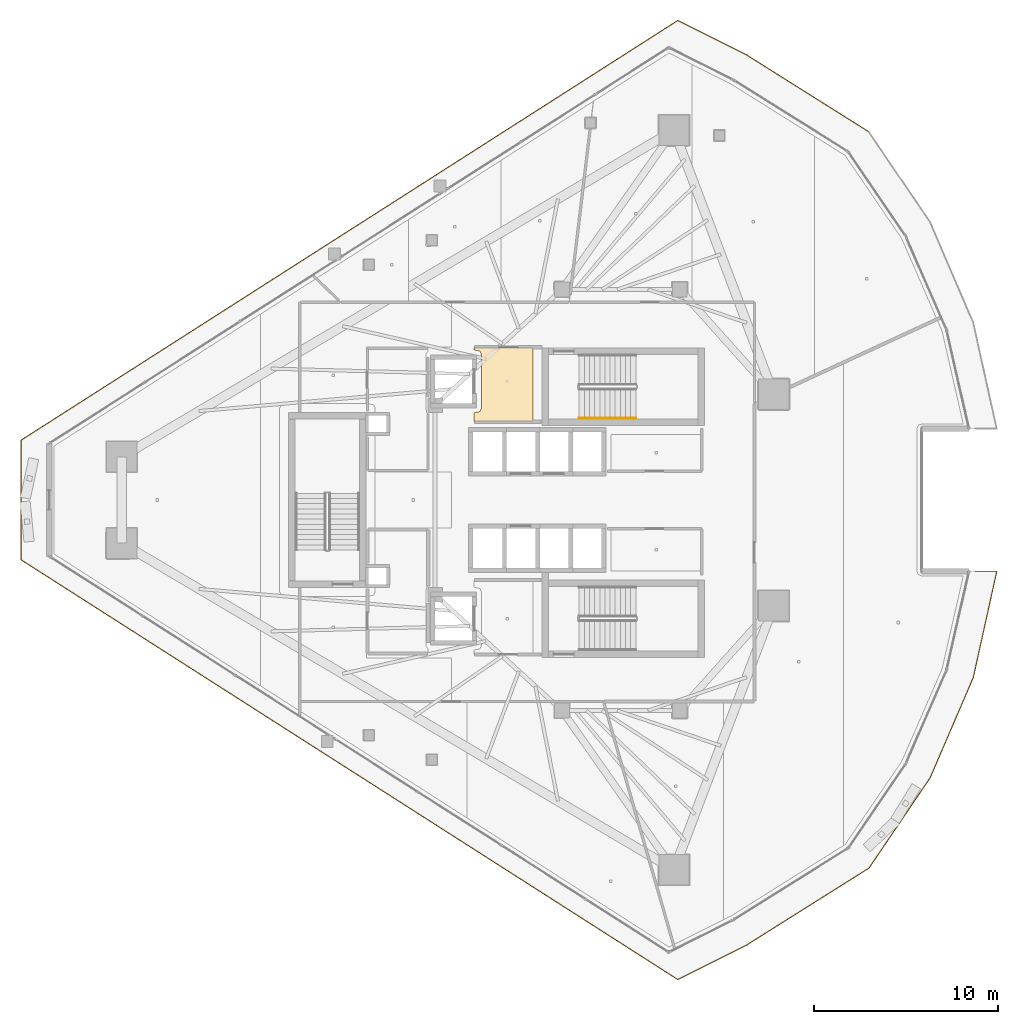
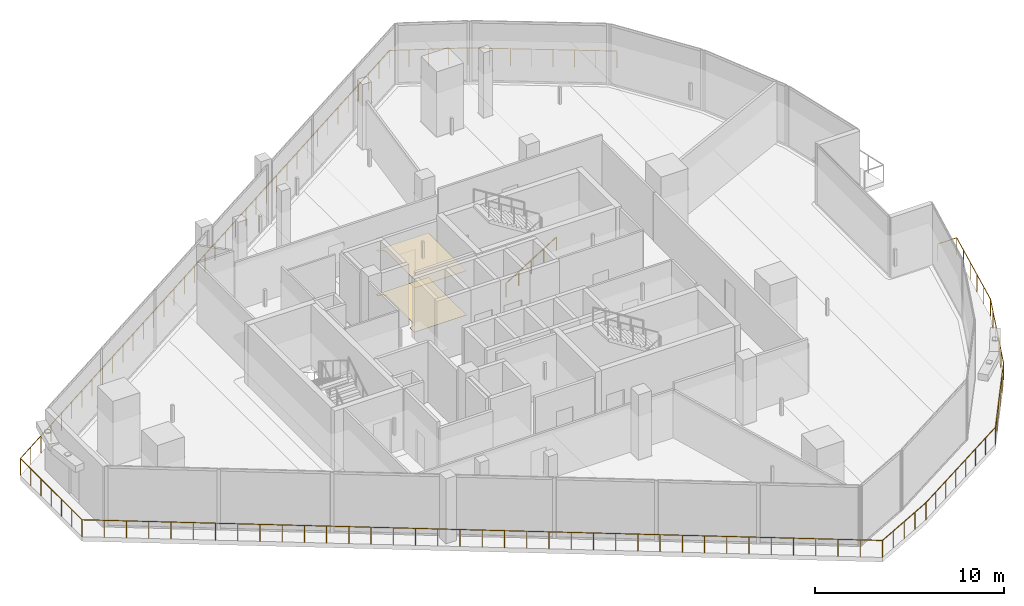
# One storey, part 28 of 31: 2 coverings, 2 railings.
"""IFC4 building model written with IfcOpenShell, lengths in metres."""

from ifc_helpers import new_model, si_unit, direction, frame, origin, origin_2d, place, context, subcontext, project, spatial, polyline, circle, outline, extrude, material, layer, layer_set, type_object, element, save


model = new_model("IFC4")

# Units and contexts
model_context = context("Model", 3, precision=1e-05, world=origin(), true_north=direction((0.0, 1.0)))
body_context = subcontext(model_context, "Body", "Model", "MODEL_VIEW")
ifc_project = project(units=[si_unit("LENGTHUNIT", "METRE"), si_unit("AREAUNIT", "SQUARE_METRE"), si_unit("VOLUMEUNIT", "CUBIC_METRE"), si_unit("PLANEANGLEUNIT", "RADIAN"), si_unit("MASSUNIT", "GRAM", prefix="KILO")], contexts=[model_context])

# Site, building, storey
site_placement = place(None, origin())
site = spatial("IfcSite", under=ifc_project, at=site_placement, CompositionType="ELEMENT")
building_placement = place(site_placement, origin())
building = spatial("IfcBuilding", under=site, at=building_placement, Name="Qorvath Tower", CompositionType="ELEMENT")
storey_placement = place(building_placement, frame((0.0, 0.0, 259.800048828125)))
storey = spatial("IfcBuildingStorey", under=building, at=storey_placement, Name="L60", CompositionType="ELEMENT", Elevation=259.800048828125)

# Coverings
ifc_material_1 = material(Name="Acoustic mineral fibre ceiling tile", Category="gypsum")
ifc_layer_1 = layer(ifc_material_1, 0.030029296875)
ifc_layer_set_1 = layer_set([ifc_layer_1], Name="COV-CEIL")
covering_type_1 = type_object("IfcCoveringType", Name="COV-CEIL", PredefinedType="CEILING", material=ifc_layer_set_1)
covering_1_placement = place(storey_placement, frame((0.0, 0.0, 2.849853515625)))
element("IfcCovering", 1, at=covering_1_placement, inside=storey, type_object=covering_type_1, Name="L60 Suspended Acoustic Ceiling 001", PredefinedType="CEILING", context=body_context, shape_type="SweptSolid", body=[
    extrude(outline(polyline([(-25.18994140625, 4.2548828125), (-25.18994140625, 8.294921875), (-28.375, 8.294921875), (-28.375, 8.159912109375), (-28.063232421875, 8.086669921875), (-27.989990234375, 7.909912109375), (-27.989990234375, 4.989990234375), (-28.063232421875, 4.813232421875), (-28.375, 4.739990234375), (-28.375, 4.2548828125), (-25.18994140625, 4.2548828125)])), origin(), (0.0, 0.0, 1.0), 0.030029296875),
])
ifc_material_2 = material(Name="Polished epoxy terrazzo flooring", Category="concrete")
ifc_layer_2 = layer(ifc_material_2, 0.02001953125)
ifc_layer_set_2 = layer_set([ifc_layer_2], Name="COV-FLOOR-TRZ")
covering_type_2 = type_object("IfcCoveringType", Name="COV-FLOOR-TRZ", PredefinedType="FLOORING", material=ifc_layer_set_2)
covering_2_placement = place(storey_placement, origin())
element("IfcCovering", 2, at=covering_2_placement, inside=storey, type_object=covering_type_2, Name="L60 Floor Finish 001", PredefinedType="FLOORING", context=body_context, shape_type="SweptSolid", body=[
    extrude(outline(polyline([(-25.18994140625, 4.2548828125), (-25.18994140625, 8.294921875), (-28.375, 8.294921875), (-28.375, 8.159912109375), (-28.063232421875, 8.086669921875), (-27.989990234375, 7.909912109375), (-27.989990234375, 4.989990234375), (-28.063232421875, 4.813232421875), (-28.375, 4.739990234375), (-28.375, 4.2548828125), (-25.18994140625, 4.2548828125)])), origin(), (0.0, 0.0, 1.0), 0.014892578125),
])

# Railings
ifc_material_3 = material(Name="Laminated safety glass and stainless steel AISI 316", Category="steel")
railing_type_1 = type_object("IfcRailingType", Name="RL-EXT-GRD", PredefinedType="GUARDRAIL", material=ifc_material_3)
railing_1_placement = place(storey_placement, frame((-1.116943359375, -3.871826171875, 0.0)))
element("IfcRailing", 3, at=railing_1_placement, inside=storey, type_object=railing_type_1, Name="Loggia Perimeter Guardrail L60-1.2", PredefinedType="GUARDRAIL", context=body_context, shape_type="SweptSolid", body=[
    extrude(circle(Radius=0.02392578125, at=origin_2d()), frame((0.0, 0.0, 1.09619140625), z_axis=(1.0, 0.0, 0.0), x_axis=(0.0, 1.0, 0.0)), (0.0, 0.0, 1.0), 1.158935546875),
    extrude(circle(Radius=0.02392578125, at=origin_2d()), frame((1.158935546875, 0.0, 1.09619140625), z_axis=(-0.216101975882, -0.976370798426, 0.0), x_axis=(0.976370798426, -0.216101975882, 0.0)), (0.0, 0.0, 1.0), 5.928955078125),
    extrude(circle(Radius=0.02392578125, at=origin_2d()), frame((-0.122314453125, -5.788818359375, 1.09619140625), z_axis=(-0.395474271898, -0.91847705484, 0.0), x_axis=(0.91847705484, -0.395474271898, 0.0)), (0.0, 0.0, 1.0), 5.928955078125),
    extrude(circle(Radius=0.02392578125, at=origin_2d()), frame((-2.467041015625, -11.234375, 1.09619140625), z_axis=(-0.560823562392, -0.827935342805, 0.0), x_axis=(0.827935342805, -0.560823562392, 0.0)), (0.0, 0.0, 1.0), 5.92919921875),
    extrude(circle(Radius=0.02392578125, at=origin_2d()), frame((-5.792236328125, -16.143310546875, 1.09619140625), z_axis=(-0.846500592816, -0.532387778186, 0.0), x_axis=(0.532387778186, -0.846500592816, 0.0)), (0.0, 0.0, 1.0), 7.88427734375),
    extrude(circle(Radius=0.02392578125, at=origin_2d()), frame((-12.46630859375, -20.3408203125, 1.09619140625), z_axis=(-0.894427191, -0.4472135955, 0.0), x_axis=(0.4472135955, -0.894427191, 0.0)), (0.0, 0.0, 1.0), 4.164794921875),
    extrude(circle(Radius=0.02392578125, at=origin_2d()), frame((-16.19140625, -22.203369140625, 1.09619140625), z_axis=(-0.842603941371, 0.538533748233, 0.0), x_axis=(-0.538533748233, -0.842603941371, 0.0)), (0.0, 0.0, 1.0), 42.3662109375),
    extrude(circle(Radius=0.02392578125, at=origin_2d()), frame((-51.889404296875, 0.6123046875, 1.09619140625), z_axis=(0.0, 1.0, 0.0), x_axis=(-1.0, 0.0, 0.0)), (0.0, 0.0, 1.0), 6.51904296875),
    extrude(circle(Radius=0.02392578125, at=origin_2d()), frame((-51.889404296875, 7.13134765625, 1.09619140625), z_axis=(0.842603941371, 0.538533748233, 0.0), x_axis=(-0.538533748233, 0.842603941371, 0.0)), (0.0, 0.0, 1.0), 42.3662109375),
    extrude(circle(Radius=0.02392578125, at=origin_2d()), frame((-16.19140625, 29.947021484375, 1.09619140625), z_axis=(0.894427191, -0.4472135955, 0.0), x_axis=(0.4472135955, 0.894427191, 0.0)), (0.0, 0.0, 1.0), 4.164794921875),
    extrude(circle(Radius=0.02392578125, at=origin_2d()), frame((-12.46630859375, 28.08447265625, 1.09619140625), z_axis=(0.846500592816, -0.532387778186, 0.0), x_axis=(0.532387778186, 0.846500592816, 0.0)), (0.0, 0.0, 1.0), 7.88427734375),
    extrude(circle(Radius=0.02099609375, at=origin_2d()), origin(), (0.0, 0.0, 1.0), 1.072021484375),
    extrude(circle(Radius=0.02099609375, at=origin_2d()), frame((1.158935546875, 0.0, 0.0)), (0.0, 0.0, 1.0), 1.072021484375),
    extrude(circle(Radius=0.02099609375, at=origin_2d()), frame((0.902587890625, -1.15771484375, 0.0)), (0.0, 0.0, 1.0), 1.072021484375),
    extrude(circle(Radius=0.02099609375, at=origin_2d()), frame((0.646484375, -2.3154296875, 0.0)), (0.0, 0.0, 1.0), 1.072021484375),
    extrude(circle(Radius=0.02099609375, at=origin_2d()), frame((0.39013671875, -3.473388671875, 0.0)), (0.0, 0.0, 1.0), 1.072021484375),
    extrude(circle(Radius=0.02099609375, at=origin_2d()), frame((0.134033203125, -4.631103515625, 0.0)), (0.0, 0.0, 1.0), 1.072021484375),
    extrude(circle(Radius=0.02099609375, at=origin_2d()), frame((-0.122314453125, -5.788818359375, 0.0)), (0.0, 0.0, 1.0), 1.072021484375),
    extrude(circle(Radius=0.02099609375, at=origin_2d()), frame((-0.59130859375, -6.8779296875, 0.0)), (0.0, 0.0, 1.0), 1.072021484375),
    extrude(circle(Radius=0.02099609375, at=origin_2d()), frame((-1.060302734375, -7.967041015625, 0.0)), (0.0, 0.0, 1.0), 1.072021484375),
    extrude(circle(Radius=0.02099609375, at=origin_2d()), frame((-1.529052734375, -9.05615234375, 0.0)), (0.0, 0.0, 1.0), 1.072021484375),
    extrude(circle(Radius=0.02099609375, at=origin_2d()), frame((-1.998046875, -10.145263671875, 0.0)), (0.0, 0.0, 1.0), 1.072021484375),
    extrude(circle(Radius=0.02099609375, at=origin_2d()), frame((-2.467041015625, -11.234375, 0.0)), (0.0, 0.0, 1.0), 1.072021484375),
    extrude(circle(Radius=0.02099609375, at=origin_2d()), frame((-3.132080078125, -12.216064453125, 0.0)), (0.0, 0.0, 1.0), 1.072021484375),
    extrude(circle(Radius=0.02099609375, at=origin_2d()), frame((-3.797119140625, -13.197998046875, 0.0)), (0.0, 0.0, 1.0), 1.072021484375),
    extrude(circle(Radius=0.02099609375, at=origin_2d()), frame((-4.462158203125, -14.1796875, 0.0)), (0.0, 0.0, 1.0), 1.072021484375),
    extrude(circle(Radius=0.02099609375, at=origin_2d()), frame((-5.127197265625, -15.16162109375, 0.0)), (0.0, 0.0, 1.0), 1.072021484375),
    extrude(circle(Radius=0.02099609375, at=origin_2d()), frame((-5.792236328125, -16.143310546875, 0.0)), (0.0, 0.0, 1.0), 1.072021484375),
    extrude(circle(Radius=0.02099609375, at=origin_2d()), frame((-6.74560546875, -16.742919921875, 0.0)), (0.0, 0.0, 1.0), 1.072021484375),
    extrude(circle(Radius=0.02099609375, at=origin_2d()), frame((-7.69921875, -17.342529296875, 0.0)), (0.0, 0.0, 1.0), 1.072021484375),
    extrude(circle(Radius=0.02099609375, at=origin_2d()), frame((-8.652587890625, -17.942138671875, 0.0)), (0.0, 0.0, 1.0), 1.072021484375),
    extrude(circle(Radius=0.02099609375, at=origin_2d()), frame((-9.60595703125, -18.5419921875, 0.0)), (0.0, 0.0, 1.0), 1.072021484375),
    extrude(circle(Radius=0.02099609375, at=origin_2d()), frame((-10.559326171875, -19.1416015625, 0.0)), (0.0, 0.0, 1.0), 1.072021484375),
    extrude(circle(Radius=0.02099609375, at=origin_2d()), frame((-11.512939453125, -19.7412109375, 0.0)), (0.0, 0.0, 1.0), 1.072021484375),
    extrude(circle(Radius=0.02099609375, at=origin_2d()), frame((-12.46630859375, -20.3408203125, 0.0)), (0.0, 0.0, 1.0), 1.072021484375),
    extrude(circle(Radius=0.02099609375, at=origin_2d()), frame((-13.3974609375, -20.806396484375, 0.0)), (0.0, 0.0, 1.0), 1.072021484375),
    extrude(circle(Radius=0.02099609375, at=origin_2d()), frame((-14.328857421875, -21.27197265625, 0.0)), (0.0, 0.0, 1.0), 1.072021484375),
    extrude(circle(Radius=0.02099609375, at=origin_2d()), frame((-15.26025390625, -21.73779296875, 0.0)), (0.0, 0.0, 1.0), 1.072021484375),
    extrude(circle(Radius=0.02099609375, at=origin_2d()), frame((-16.19140625, -22.203369140625, 0.0)), (0.0, 0.0, 1.0), 1.072021484375),
    extrude(circle(Radius=0.02099609375, at=origin_2d()), frame((-17.18310546875, -21.569580078125, 0.0)), (0.0, 0.0, 1.0), 1.072021484375),
    extrude(circle(Radius=0.02099609375, at=origin_2d()), frame((-18.174560546875, -20.935791015625, 0.0)), (0.0, 0.0, 1.0), 1.072021484375),
    extrude(circle(Radius=0.02099609375, at=origin_2d()), frame((-19.166259765625, -20.302001953125, 0.0)), (0.0, 0.0, 1.0), 1.072021484375),
    extrude(circle(Radius=0.02099609375, at=origin_2d()), frame((-20.157958984375, -19.668212890625, 0.0)), (0.0, 0.0, 1.0), 1.072021484375),
    extrude(circle(Radius=0.02099609375, at=origin_2d()), frame((-21.1494140625, -19.034423828125, 0.0)), (0.0, 0.0, 1.0), 1.072021484375),
    extrude(circle(Radius=0.02099609375, at=origin_2d()), frame((-22.14111328125, -18.40087890625, 0.0)), (0.0, 0.0, 1.0), 1.072021484375),
    extrude(circle(Radius=0.02099609375, at=origin_2d()), frame((-23.132568359375, -17.76708984375, 0.0)), (0.0, 0.0, 1.0), 1.072021484375),
    extrude(circle(Radius=0.02099609375, at=origin_2d()), frame((-24.124267578125, -17.13330078125, 0.0)), (0.0, 0.0, 1.0), 1.072021484375),
    extrude(circle(Radius=0.02099609375, at=origin_2d()), frame((-25.115966796875, -16.49951171875, 0.0)), (0.0, 0.0, 1.0), 1.072021484375),
    extrude(circle(Radius=0.02099609375, at=origin_2d()), frame((-26.107421875, -15.86572265625, 0.0)), (0.0, 0.0, 1.0), 1.072021484375),
    extrude(circle(Radius=0.02099609375, at=origin_2d()), frame((-27.09912109375, -15.23193359375, 0.0)), (0.0, 0.0, 1.0), 1.072021484375),
    extrude(circle(Radius=0.02099609375, at=origin_2d()), frame((-28.0908203125, -14.59814453125, 0.0)), (0.0, 0.0, 1.0), 1.072021484375),
    extrude(circle(Radius=0.02099609375, at=origin_2d()), frame((-29.082275390625, -13.96435546875, 0.0)), (0.0, 0.0, 1.0), 1.072021484375),
    extrude(circle(Radius=0.02099609375, at=origin_2d()), frame((-30.073974609375, -13.33056640625, 0.0)), (0.0, 0.0, 1.0), 1.072021484375),
    extrude(circle(Radius=0.02099609375, at=origin_2d()), frame((-31.065673828125, -12.69677734375, 0.0)), (0.0, 0.0, 1.0), 1.072021484375),
    extrude(circle(Radius=0.02099609375, at=origin_2d()), frame((-32.05712890625, -12.06298828125, 0.0)), (0.0, 0.0, 1.0), 1.072021484375),
    extrude(circle(Radius=0.02099609375, at=origin_2d()), frame((-33.048828125, -11.42919921875, 0.0)), (0.0, 0.0, 1.0), 1.072021484375),
    extrude(circle(Radius=0.02099609375, at=origin_2d()), frame((-34.04052734375, -10.79541015625, 0.0)), (0.0, 0.0, 1.0), 1.072021484375),
    extrude(circle(Radius=0.02099609375, at=origin_2d()), frame((-35.031982421875, -10.161865234375, 0.0)), (0.0, 0.0, 1.0), 1.072021484375),
    extrude(circle(Radius=0.02099609375, at=origin_2d()), frame((-36.023681640625, -9.528076171875, 0.0)), (0.0, 0.0, 1.0), 1.072021484375),
    extrude(circle(Radius=0.02099609375, at=origin_2d()), frame((-37.01513671875, -8.894287109375, 0.0)), (0.0, 0.0, 1.0), 1.072021484375),
    extrude(circle(Radius=0.02099609375, at=origin_2d()), frame((-38.0068359375, -8.260498046875, 0.0)), (0.0, 0.0, 1.0), 1.072021484375),
    extrude(circle(Radius=0.02099609375, at=origin_2d()), frame((-38.99853515625, -7.626708984375, 0.0)), (0.0, 0.0, 1.0), 1.072021484375),
    extrude(circle(Radius=0.02099609375, at=origin_2d()), frame((-39.989990234375, -6.992919921875, 0.0)), (0.0, 0.0, 1.0), 1.072021484375),
    extrude(circle(Radius=0.02099609375, at=origin_2d()), frame((-40.981689453125, -6.359130859375, 0.0)), (0.0, 0.0, 1.0), 1.072021484375),
    extrude(circle(Radius=0.02099609375, at=origin_2d()), frame((-41.973388671875, -5.725341796875, 0.0)), (0.0, 0.0, 1.0), 1.072021484375),
    extrude(circle(Radius=0.02099609375, at=origin_2d()), frame((-42.96484375, -5.091552734375, 0.0)), (0.0, 0.0, 1.0), 1.072021484375),
    extrude(circle(Radius=0.02099609375, at=origin_2d()), frame((-43.95654296875, -4.457763671875, 0.0)), (0.0, 0.0, 1.0), 1.072021484375),
    extrude(circle(Radius=0.02099609375, at=origin_2d()), frame((-44.9482421875, -3.823974609375, 0.0)), (0.0, 0.0, 1.0), 1.072021484375),
    extrude(circle(Radius=0.02099609375, at=origin_2d()), frame((-45.939697265625, -3.1904296875, 0.0)), (0.0, 0.0, 1.0), 1.072021484375),
    extrude(circle(Radius=0.02099609375, at=origin_2d()), frame((-46.931396484375, -2.556640625, 0.0)), (0.0, 0.0, 1.0), 1.072021484375),
    extrude(circle(Radius=0.02099609375, at=origin_2d()), frame((-47.9228515625, -1.9228515625, 0.0)), (0.0, 0.0, 1.0), 1.072021484375),
    extrude(circle(Radius=0.02099609375, at=origin_2d()), frame((-48.91455078125, -1.2890625, 0.0)), (0.0, 0.0, 1.0), 1.072021484375),
    extrude(circle(Radius=0.02099609375, at=origin_2d()), frame((-49.90625, -0.6552734375, 0.0)), (0.0, 0.0, 1.0), 1.072021484375),
    extrude(circle(Radius=0.02099609375, at=origin_2d()), frame((-50.897705078125, -0.021484375, 0.0)), (0.0, 0.0, 1.0), 1.072021484375),
    extrude(circle(Radius=0.02099609375, at=origin_2d()), frame((-51.889404296875, 0.6123046875, 0.0)), (0.0, 0.0, 1.0), 1.072021484375),
    extrude(circle(Radius=0.02099609375, at=origin_2d()), frame((-51.889404296875, 1.69873046875, 0.0)), (0.0, 0.0, 1.0), 1.072021484375),
    extrude(circle(Radius=0.02099609375, at=origin_2d()), frame((-51.889404296875, 2.785400390625, 0.0)), (0.0, 0.0, 1.0), 1.072021484375),
    extrude(circle(Radius=0.02099609375, at=origin_2d()), frame((-51.889404296875, 3.871826171875, 0.0)), (0.0, 0.0, 1.0), 1.072021484375),
    extrude(circle(Radius=0.02099609375, at=origin_2d()), frame((-51.889404296875, 4.958251953125, 0.0)), (0.0, 0.0, 1.0), 1.072021484375),
    extrude(circle(Radius=0.02099609375, at=origin_2d()), frame((-51.889404296875, 6.044921875, 0.0)), (0.0, 0.0, 1.0), 1.072021484375),
    extrude(circle(Radius=0.02099609375, at=origin_2d()), frame((-51.889404296875, 7.13134765625, 0.0)), (0.0, 0.0, 1.0), 1.072021484375),
    extrude(circle(Radius=0.02099609375, at=origin_2d()), frame((-50.897705078125, 7.76513671875, 0.0)), (0.0, 0.0, 1.0), 1.072021484375),
    extrude(circle(Radius=0.02099609375, at=origin_2d()), frame((-49.90625, 8.39892578125, 0.0)), (0.0, 0.0, 1.0), 1.072021484375),
    extrude(circle(Radius=0.02099609375, at=origin_2d()), frame((-48.91455078125, 9.03271484375, 0.0)), (0.0, 0.0, 1.0), 1.072021484375),
    extrude(circle(Radius=0.02099609375, at=origin_2d()), frame((-47.9228515625, 9.66650390625, 0.0)), (0.0, 0.0, 1.0), 1.072021484375),
    extrude(circle(Radius=0.02099609375, at=origin_2d()), frame((-46.931396484375, 10.30029296875, 0.0)), (0.0, 0.0, 1.0), 1.072021484375),
    extrude(circle(Radius=0.02099609375, at=origin_2d()), frame((-45.939697265625, 10.93408203125, 0.0)), (0.0, 0.0, 1.0), 1.072021484375),
    extrude(circle(Radius=0.02099609375, at=origin_2d()), frame((-44.9482421875, 11.567626953125, 0.0)), (0.0, 0.0, 1.0), 1.072021484375),
    extrude(circle(Radius=0.02099609375, at=origin_2d()), frame((-43.95654296875, 12.201416015625, 0.0)), (0.0, 0.0, 1.0), 1.072021484375),
    extrude(circle(Radius=0.02099609375, at=origin_2d()), frame((-42.96484375, 12.835205078125, 0.0)), (0.0, 0.0, 1.0), 1.072021484375),
    extrude(circle(Radius=0.02099609375, at=origin_2d()), frame((-41.973388671875, 13.468994140625, 0.0)), (0.0, 0.0, 1.0), 1.072021484375),
    extrude(circle(Radius=0.02099609375, at=origin_2d()), frame((-40.981689453125, 14.102783203125, 0.0)), (0.0, 0.0, 1.0), 1.072021484375),
    extrude(circle(Radius=0.02099609375, at=origin_2d()), frame((-39.989990234375, 14.736572265625, 0.0)), (0.0, 0.0, 1.0), 1.072021484375),
    extrude(circle(Radius=0.02099609375, at=origin_2d()), frame((-38.99853515625, 15.370361328125, 0.0)), (0.0, 0.0, 1.0), 1.072021484375),
    extrude(circle(Radius=0.02099609375, at=origin_2d()), frame((-38.0068359375, 16.004150390625, 0.0)), (0.0, 0.0, 1.0), 1.072021484375),
    extrude(circle(Radius=0.02099609375, at=origin_2d()), frame((-37.01513671875, 16.637939453125, 0.0)), (0.0, 0.0, 1.0), 1.072021484375),
    extrude(circle(Radius=0.02099609375, at=origin_2d()), frame((-36.023681640625, 17.271728515625, 0.0)), (0.0, 0.0, 1.0), 1.072021484375),
    extrude(circle(Radius=0.02099609375, at=origin_2d()), frame((-35.031982421875, 17.905517578125, 0.0)), (0.0, 0.0, 1.0), 1.072021484375),
    extrude(circle(Radius=0.02099609375, at=origin_2d()), frame((-34.04052734375, 18.5390625, 0.0)), (0.0, 0.0, 1.0), 1.072021484375),
    extrude(circle(Radius=0.02099609375, at=origin_2d()), frame((-33.048828125, 19.1728515625, 0.0)), (0.0, 0.0, 1.0), 1.072021484375),
    extrude(circle(Radius=0.02099609375, at=origin_2d()), frame((-32.05712890625, 19.806640625, 0.0)), (0.0, 0.0, 1.0), 1.072021484375),
    extrude(circle(Radius=0.02099609375, at=origin_2d()), frame((-31.065673828125, 20.4404296875, 0.0)), (0.0, 0.0, 1.0), 1.072021484375),
    extrude(circle(Radius=0.02099609375, at=origin_2d()), frame((-30.073974609375, 21.07421875, 0.0)), (0.0, 0.0, 1.0), 1.072021484375),
    extrude(circle(Radius=0.02099609375, at=origin_2d()), frame((-29.082275390625, 21.7080078125, 0.0)), (0.0, 0.0, 1.0), 1.072021484375),
    extrude(circle(Radius=0.02099609375, at=origin_2d()), frame((-28.0908203125, 22.341796875, 0.0)), (0.0, 0.0, 1.0), 1.072021484375),
    extrude(circle(Radius=0.02099609375, at=origin_2d()), frame((-27.09912109375, 22.9755859375, 0.0)), (0.0, 0.0, 1.0), 1.072021484375),
    extrude(circle(Radius=0.02099609375, at=origin_2d()), frame((-26.107421875, 23.609375, 0.0)), (0.0, 0.0, 1.0), 1.072021484375),
    extrude(circle(Radius=0.02099609375, at=origin_2d()), frame((-25.115966796875, 24.2431640625, 0.0)), (0.0, 0.0, 1.0), 1.072021484375),
    extrude(circle(Radius=0.02099609375, at=origin_2d()), frame((-24.124267578125, 24.876953125, 0.0)), (0.0, 0.0, 1.0), 1.072021484375),
    extrude(circle(Radius=0.02099609375, at=origin_2d()), frame((-23.132568359375, 25.5107421875, 0.0)), (0.0, 0.0, 1.0), 1.072021484375),
    extrude(circle(Radius=0.02099609375, at=origin_2d()), frame((-22.14111328125, 26.14453125, 0.0)), (0.0, 0.0, 1.0), 1.072021484375),
    extrude(circle(Radius=0.02099609375, at=origin_2d()), frame((-21.1494140625, 26.778076171875, 0.0)), (0.0, 0.0, 1.0), 1.072021484375),
    extrude(circle(Radius=0.02099609375, at=origin_2d()), frame((-20.157958984375, 27.411865234375, 0.0)), (0.0, 0.0, 1.0), 1.072021484375),
    extrude(circle(Radius=0.02099609375, at=origin_2d()), frame((-19.166259765625, 28.045654296875, 0.0)), (0.0, 0.0, 1.0), 1.072021484375),
    extrude(circle(Radius=0.02099609375, at=origin_2d()), frame((-18.174560546875, 28.679443359375, 0.0)), (0.0, 0.0, 1.0), 1.072021484375),
    extrude(circle(Radius=0.02099609375, at=origin_2d()), frame((-17.18310546875, 29.313232421875, 0.0)), (0.0, 0.0, 1.0), 1.072021484375),
    extrude(circle(Radius=0.02099609375, at=origin_2d()), frame((-16.19140625, 29.947021484375, 0.0)), (0.0, 0.0, 1.0), 1.072021484375),
    extrude(circle(Radius=0.02099609375, at=origin_2d()), frame((-15.26025390625, 29.4814453125, 0.0)), (0.0, 0.0, 1.0), 1.072021484375),
    extrude(circle(Radius=0.02099609375, at=origin_2d()), frame((-14.328857421875, 29.015625, 0.0)), (0.0, 0.0, 1.0), 1.072021484375),
    extrude(circle(Radius=0.02099609375, at=origin_2d()), frame((-13.3974609375, 28.550048828125, 0.0)), (0.0, 0.0, 1.0), 1.072021484375),
    extrude(circle(Radius=0.02099609375, at=origin_2d()), frame((-12.46630859375, 28.08447265625, 0.0)), (0.0, 0.0, 1.0), 1.072021484375),
    extrude(circle(Radius=0.02099609375, at=origin_2d()), frame((-11.512939453125, 27.48486328125, 0.0)), (0.0, 0.0, 1.0), 1.072021484375),
    extrude(circle(Radius=0.02099609375, at=origin_2d()), frame((-10.559326171875, 26.88525390625, 0.0)), (0.0, 0.0, 1.0), 1.072021484375),
    extrude(circle(Radius=0.02099609375, at=origin_2d()), frame((-9.60595703125, 26.28564453125, 0.0)), (0.0, 0.0, 1.0), 1.072021484375),
    extrude(circle(Radius=0.02099609375, at=origin_2d()), frame((-8.652587890625, 25.685791015625, 0.0)), (0.0, 0.0, 1.0), 1.072021484375),
    extrude(circle(Radius=0.02099609375, at=origin_2d()), frame((-7.69921875, 25.086181640625, 0.0)), (0.0, 0.0, 1.0), 1.072021484375),
    extrude(circle(Radius=0.02099609375, at=origin_2d()), frame((-6.74560546875, 24.486572265625, 0.0)), (0.0, 0.0, 1.0), 1.072021484375),
    extrude(circle(Radius=0.02099609375, at=origin_2d()), frame((-5.792236328125, 23.886962890625, 0.0)), (0.0, 0.0, 1.0), 1.072021484375),
])
ifc_material_4 = material(Name="Brushed stainless steel AISI 304", Category="steel")
railing_type_2 = type_object("IfcRailingType", Name="RL-STR-HND", PredefinedType="HANDRAIL", material=ifc_material_4)
railing_2_placement = place(storey_placement, frame((-22.669921875, 4.449951171875, 0.175048828125)))
element("IfcRailing", 4, at=railing_2_placement, inside=storey, type_object=railing_type_2, Name="L60 TS1 stair handrail 1", PredefinedType="HANDRAIL", context=body_context, shape_type="SweptSolid", body=[
    extrude(circle(Radius=0.02392578125, at=origin_2d()), frame((0.0, 0.0, 0.8759765625), z_axis=(0.848009633417, 0.0, 0.529980812513), x_axis=(0.0, 1.0, 0.0)), (0.0, 0.0, 1.0), 3.6318359375),
    extrude(circle(Radius=0.02099609375, at=origin_2d()), origin(), (0.0, 0.0, 1.0), 0.851806640625),
    extrude(circle(Radius=0.02099609375, at=origin_2d()), frame((0.77001953125, 0.0, 0.481201171875)), (0.0, 0.0, 1.0), 0.851806640625),
    extrude(circle(Radius=0.02099609375, at=origin_2d()), frame((1.5400390625, 0.0, 0.96240234375)), (0.0, 0.0, 1.0), 0.851806640625),
    extrude(circle(Radius=0.02099609375, at=origin_2d()), frame((2.309814453125, 0.0, 1.443603515625)), (0.0, 0.0, 1.0), 0.851806640625),
    extrude(circle(Radius=0.02099609375, at=origin_2d()), frame((3.079833984375, 0.0, 1.9248046875)), (0.0, 0.0, 1.0), 0.851806640625),
])

save(model, "model.ifc")
